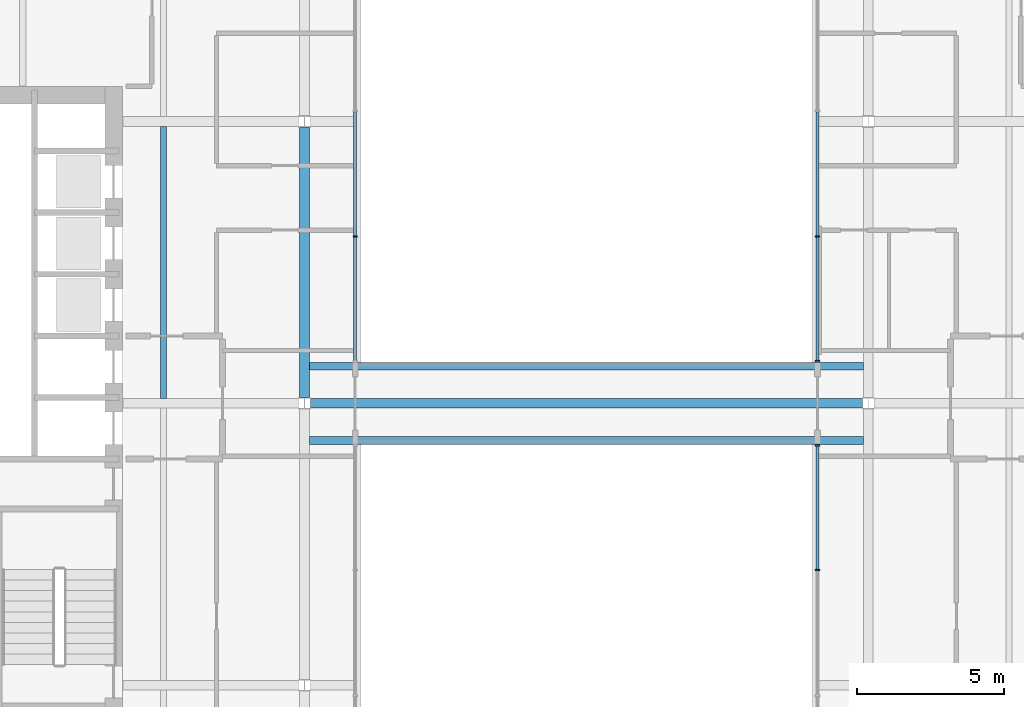
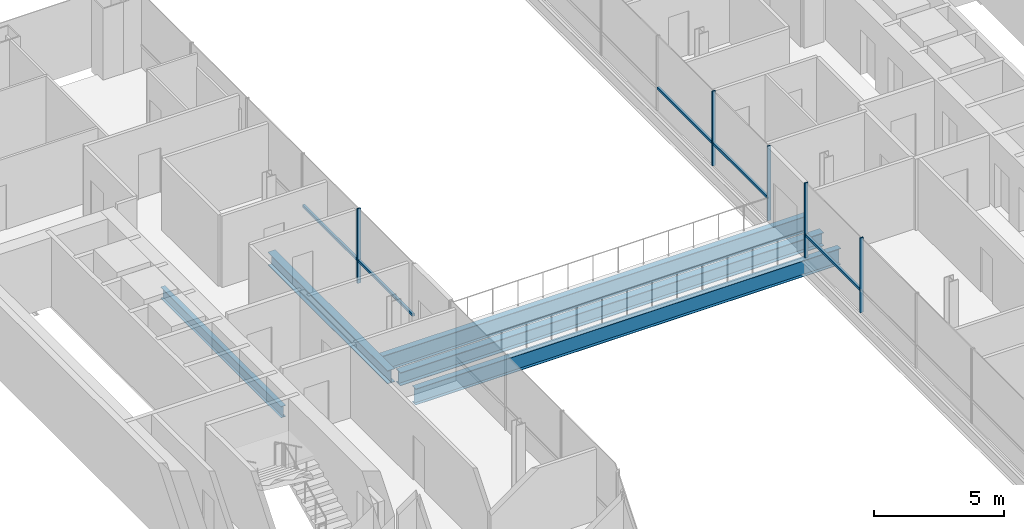
# One storey, part 4 of 16: 10 members, 5 beams, 3 elements without a shape of their own.
"""IFC4 building model written with IfcOpenShell, lengths in metres."""

from ifc_helpers import new_model, si_unit, direction, frame, origin, origin_2d, place, context, subcontext, project, spatial, rectangle, i_section, extrude, material, material_profile, profile_set, type_object, element, aggregate, save


model = new_model("IFC4")

# Units and contexts
model_context = context("Model", 3, precision=1e-05, world=origin(), true_north=direction((0.0, 1.0)))
body_context = subcontext(model_context, "Body", "Model", "MODEL_VIEW")
ifc_project = project(units=[si_unit("LENGTHUNIT", "METRE"), si_unit("AREAUNIT", "SQUARE_METRE"), si_unit("VOLUMEUNIT", "CUBIC_METRE"), si_unit("PLANEANGLEUNIT", "RADIAN"), si_unit("MASSUNIT", "GRAM", prefix="KILO")], contexts=[model_context])

# Site, building, storey
site_placement = place(None, origin())
site = spatial("IfcSite", under=ifc_project, at=site_placement, CompositionType="ELEMENT")
building_placement = place(site_placement, origin())
building = spatial("IfcBuilding", under=site, at=building_placement, Name="Cobrizo Arcos Hotel Tower", CompositionType="ELEMENT")
storey_placement = place(building_placement, frame((0.0, 0.0, 127.5)))
storey = spatial("IfcBuildingStorey", under=building, at=storey_placement, Name="L32", CompositionType="ELEMENT", Elevation=127.5)

# Curtain wall, members
ifc_material_1 = material(Name="Aluminium 6063-T6 anodised bronze", Category="aluminium")
curtain_wall_type = type_object("IfcCurtainWallType", Name="CW-F void screen", PredefinedType="NOTDEFINED", material=ifc_material_1)
curtain_wall_1_placement = place(storey_placement, origin())
curtain_wall_1 = element("IfcCurtainWall", 1, at=curtain_wall_1_placement, inside=storey, type_object=curtain_wall_type, Name="CW-F L32 void screen B", PredefinedType="NOTDEFINED")
ifc_material_profile_1 = material_profile(ifc_material_1, rectangle(XDim=0.14990234375, YDim=0.06005859375, at=origin_2d()), Name="CW-F mullion 150x60")
ifc_profile_set_1 = profile_set([ifc_material_profile_1], Name="Aluminium 6063-T6 anodised bronze")
member_type_1 = type_object("IfcMemberType", Name="CW-F mullion 150x60", PredefinedType="MULLION", material=ifc_profile_set_1)
member_1_placement = place(storey_placement, frame((7.875, -5.679931640625, 0.0), z_axis=(0.0, 0.0, 1.0), x_axis=(1.0, 0.0, 0.0)))
member_1 = element("IfcMember", 2, at=member_1_placement, type_object=member_type_1, Name="CW-F mullion 5", PredefinedType="MULLION", context=body_context, shape_type="SweptSolid", body=[
    extrude(rectangle(XDim=0.14990234375, YDim=0.06005859375, at=origin_2d()), origin(), (0.0, 0.0, 1.0), 3.5),
])
member_2_placement = place(storey_placement, frame((7.875, -1.429931640625, 0.0), z_axis=(0.0, 0.0, 1.0), x_axis=(1.0, 0.0, 0.0)))
member_2 = element("IfcMember", 3, at=member_2_placement, type_object=member_type_1, Name="CW-F mullion 6", PredefinedType="MULLION", context=body_context, shape_type="SweptSolid", body=[
    extrude(rectangle(XDim=0.14990234375, YDim=0.06005859375, at=origin_2d()), origin(), (0.0, 0.0, 1.0), 3.5),
])

curtain_wall_2_placement = place(storey_placement, origin())
curtain_wall_2 = element("IfcCurtainWall", 4, at=curtain_wall_2_placement, inside=storey, type_object=curtain_wall_type, Name="CW-F L32 void screen B", PredefinedType="NOTDEFINED")
member_3_placement = place(storey_placement, frame((7.875, 1.429931640625, 0.0), z_axis=(0.0, 0.0, 1.0), x_axis=(1.0, 0.0, 0.0)))
member_3 = element("IfcMember", 5, at=member_3_placement, type_object=member_type_1, Name="CW-F mullion 1", PredefinedType="MULLION", context=body_context, shape_type="SweptSolid", body=[
    extrude(rectangle(XDim=0.14990234375, YDim=0.06005859375, at=origin_2d()), origin(), (0.0, 0.0, 1.0), 3.5),
])
member_4_placement = place(storey_placement, frame((7.875, 5.679931640625, 0.0), z_axis=(0.0, 0.0, 1.0), x_axis=(1.0, 0.0, 0.0)))
member_4 = element("IfcMember", 6, at=member_4_placement, type_object=member_type_1, Name="CW-F mullion 2", PredefinedType="MULLION", context=body_context, shape_type="SweptSolid", body=[
    extrude(rectangle(XDim=0.14990234375, YDim=0.06005859375, at=origin_2d()), origin(), (0.0, 0.0, 1.0), 3.5),
])

# Curtain wall, member
curtain_wall_3_placement = place(storey_placement, origin())
curtain_wall_3 = element("IfcCurtainWall", 7, at=curtain_wall_3_placement, inside=storey, type_object=curtain_wall_type, Name="CW-F L32 void screen B", PredefinedType="NOTDEFINED")
member_5_placement = place(storey_placement, frame((-7.875, 5.679931640625, 0.0), z_axis=(0.0, 0.0, 1.0), x_axis=(-1.0, 0.0, 0.0)))
member_5 = element("IfcMember", 8, at=member_5_placement, type_object=member_type_1, Name="CW-F mullion 5", PredefinedType="MULLION", context=body_context, shape_type="SweptSolid", body=[
    extrude(rectangle(XDim=0.14990234375, YDim=0.06005859375, at=origin_2d()), origin(), (0.0, 0.0, 1.0), 3.5),
])

# Member
ifc_material_profile_2 = material_profile(ifc_material_1, rectangle(XDim=0.10009765625, YDim=0.1201171875, at=origin_2d()), Name="CW-F transom 120x100")
ifc_profile_set_2 = profile_set([ifc_material_profile_2], Name="Aluminium 6063-T6 anodised bronze")
member_type_2 = type_object("IfcMemberType", Name="CW-F transom 120x100", PredefinedType="USERDEFINED", material=ifc_profile_set_2)
member_6_placement = place(storey_placement, frame((7.875, -5.64990234375, 1.050048828125), z_axis=(0.0, 1.0, 0.0), x_axis=(-1.0, 0.0, 0.0)))
member_6 = element("IfcMember", 9, at=member_6_placement, type_object=member_type_2, Name="CW-F transom 2630", ObjectType="TRANSOM", PredefinedType="USERDEFINED", context=body_context, shape_type="SweptSolid", body=[
    extrude(rectangle(XDim=0.10009765625, YDim=0.1201171875, at=origin_2d()), origin(), (0.0, 0.0, 1.0), 4.18994140625),
])

aggregate(curtain_wall_1, [member_1, member_2, member_6])

member_7_placement = place(storey_placement, frame((7.875, 1.4599609375, 1.050048828125), z_axis=(0.0, 1.0, 0.0), x_axis=(-1.0, 0.0, 0.0)))
member_7 = element("IfcMember", 10, at=member_7_placement, type_object=member_type_2, Name="CW-F transom 2631", ObjectType="TRANSOM", PredefinedType="USERDEFINED", context=body_context, shape_type="SweptSolid", body=[
    extrude(rectangle(XDim=0.10009765625, YDim=0.1201171875, at=origin_2d()), origin(), (0.0, 0.0, 1.0), 4.18994140625),
])

member_8_placement = place(storey_placement, frame((7.875, 5.7099609375, 1.050048828125), z_axis=(0.0, 1.0, 0.0), x_axis=(-1.0, 0.0, 0.0)))
member_8 = element("IfcMember", 11, at=member_8_placement, type_object=member_type_2, Name="CW-F transom 2632", ObjectType="TRANSOM", PredefinedType="USERDEFINED", context=body_context, shape_type="SweptSolid", body=[
    extrude(rectangle(XDim=0.10009765625, YDim=0.1201171875, at=origin_2d()), origin(), (0.0, 0.0, 1.0), 4.219970703125),
])

aggregate(curtain_wall_2, [member_3, member_4, member_7, member_8])

member_9_placement = place(storey_placement, frame((-7.875, 9.929931640625, 1.050048828125), z_axis=(0.0, -1.0, 0.0), x_axis=(1.0, 0.0, 0.0)))
member_9 = element("IfcMember", 12, at=member_9_placement, type_object=member_type_2, Name="CW-F transom 2639", ObjectType="TRANSOM", PredefinedType="USERDEFINED", context=body_context, shape_type="SweptSolid", body=[
    extrude(rectangle(XDim=0.10009765625, YDim=0.1201171875, at=origin_2d()), origin(), (0.0, 0.0, 1.0), 4.219970703125),
])

member_10_placement = place(storey_placement, frame((-7.875, 5.64990234375, 1.050048828125), z_axis=(0.0, -1.0, 0.0), x_axis=(1.0, 0.0, 0.0)))
member_10 = element("IfcMember", 13, at=member_10_placement, type_object=member_type_2, Name="CW-F transom 2640", ObjectType="TRANSOM", PredefinedType="USERDEFINED", context=body_context, shape_type="SweptSolid", body=[
    extrude(rectangle(XDim=0.10009765625, YDim=0.1201171875, at=origin_2d()), origin(), (0.0, 0.0, 1.0), 4.18994140625),
])

aggregate(curtain_wall_3, [member_5, member_9, member_10])

# Beams
ifc_material_2 = material(Name="Steel ASTM A992 Grade 50", Category="steel")
ifc_material_profile_3 = material_profile(ifc_material_2, i_section(OverallWidth=0.209228515625, OverallDepth=0.533447265625, WebThickness=0.01025390625, FlangeThickness=0.015625, at=origin_2d()), Name="W21X62")
ifc_profile_set_3 = profile_set([ifc_material_profile_3], Name="Steel ASTM A992 Grade 50")
beam_type_1 = type_object("IfcBeamType", Name="W21X62 joist", PredefinedType="JOIST", material=ifc_profile_set_3)
beam_1_placement = place(storey_placement, frame((-14.39990234375, 0.163818359375, -0.416748046875), z_axis=(0.0, 1.0, 0.0), x_axis=(-1.0, 0.0, 0.0)))
element("IfcBeam", 14, at=beam_1_placement, inside=storey, type_object=beam_type_1, Name="Floor joist J1, L32, no. 005", PredefinedType="JOIST", context=body_context, shape_type="SweptSolid", body=[
    extrude(i_section(OverallWidth=0.209228515625, OverallDepth=0.533447265625, WebThickness=0.01025390625, FlangeThickness=0.015625, at=origin_2d()), origin(), (0.0, 0.0, 1.0), 9.272216796875),
])
ifc_material_profile_4 = material_profile(ifc_material_2, i_section(OverallWidth=0.32763671875, OverallDepth=0.622314453125, WebThickness=0.015380859375, FlangeThickness=0.0244140625, at=origin_2d()), Name="W24X131")
ifc_profile_set_4 = profile_set([ifc_material_profile_4], Name="Steel ASTM A992 Grade 50")
beam_type_2 = type_object("IfcBeamType", Name="W24X131 girder", PredefinedType="BEAM", material=ifc_profile_set_4)
beam_2_placement = place(storey_placement, frame((-9.400634765625, 0.0, -0.461181640625), z_axis=(1.0, 0.0, 0.0), x_axis=(0.0, 1.0, 0.0)))
element("IfcBeam", 15, at=beam_2_placement, inside=storey, type_object=beam_type_2, Name="Floor girder G1, L32, no. 006", PredefinedType="BEAM", context=body_context, shape_type="SweptSolid", body=[
    extrude(i_section(OverallWidth=0.32763671875, OverallDepth=0.622314453125, WebThickness=0.015380859375, FlangeThickness=0.0244140625, at=origin_2d()), origin(), (0.0, 0.0, 1.0), 18.80126953125),
])
beam_3_placement = place(storey_placement, frame((-9.60009765625, 0.199462890625, -0.461181640625), z_axis=(0.0, 1.0, 0.0), x_axis=(-1.0, 0.0, 0.0)))
element("IfcBeam", 16, at=beam_3_placement, inside=storey, type_object=beam_type_2, Name="Floor girder G1, L32, no. 014", PredefinedType="BEAM", context=body_context, shape_type="SweptSolid", body=[
    extrude(i_section(OverallWidth=0.32763671875, OverallDepth=0.622314453125, WebThickness=0.015380859375, FlangeThickness=0.0244140625, at=origin_2d()), origin(), (0.0, 0.0, 1.0), 9.201171875),
])
ifc_material_profile_5 = material_profile(ifc_material_2, i_section(OverallWidth=0.2666015625, OverallDepth=0.7568359375, WebThickness=0.013916015625, FlangeThickness=0.019287109375, at=origin_2d()), Name="W30X108")
ifc_profile_set_5 = profile_set([ifc_material_profile_5], Name="Steel ASTM A992 Grade 50")
beam_type_3 = type_object("IfcBeamType", Name="W30X108 bridge girder", PredefinedType="BEAM", material=ifc_profile_set_5)
for number, where, z_axis, x_axis, name in (
    (17, (-9.43603515625, -1.2666015625, -0.528564453125), (1.0, 0.0, 0.0), (0.0, 1.0, 0.0), "Bridge girder BG1, L32, no. 001"),
    (18, (-9.43603515625, 1.2666015625, -0.528564453125), (1.0, 0.0, 0.0), (0.0, 1.0, 0.0), "Bridge girder BG1, L32, no. 002"),
):
    element("IfcBeam", number, at=place(storey_placement, frame(where, z_axis=z_axis, x_axis=x_axis)), inside=storey, type_object=beam_type_3, Name=name, PredefinedType="BEAM", context=body_context, shape_type="SweptSolid", body=[
        extrude(i_section(OverallWidth=0.2666015625, OverallDepth=0.7568359375, WebThickness=0.013916015625, FlangeThickness=0.019287109375, at=origin_2d()), origin(), (0.0, 0.0, 1.0), 18.8720703125),
    ])

save(model, "model.ifc")
